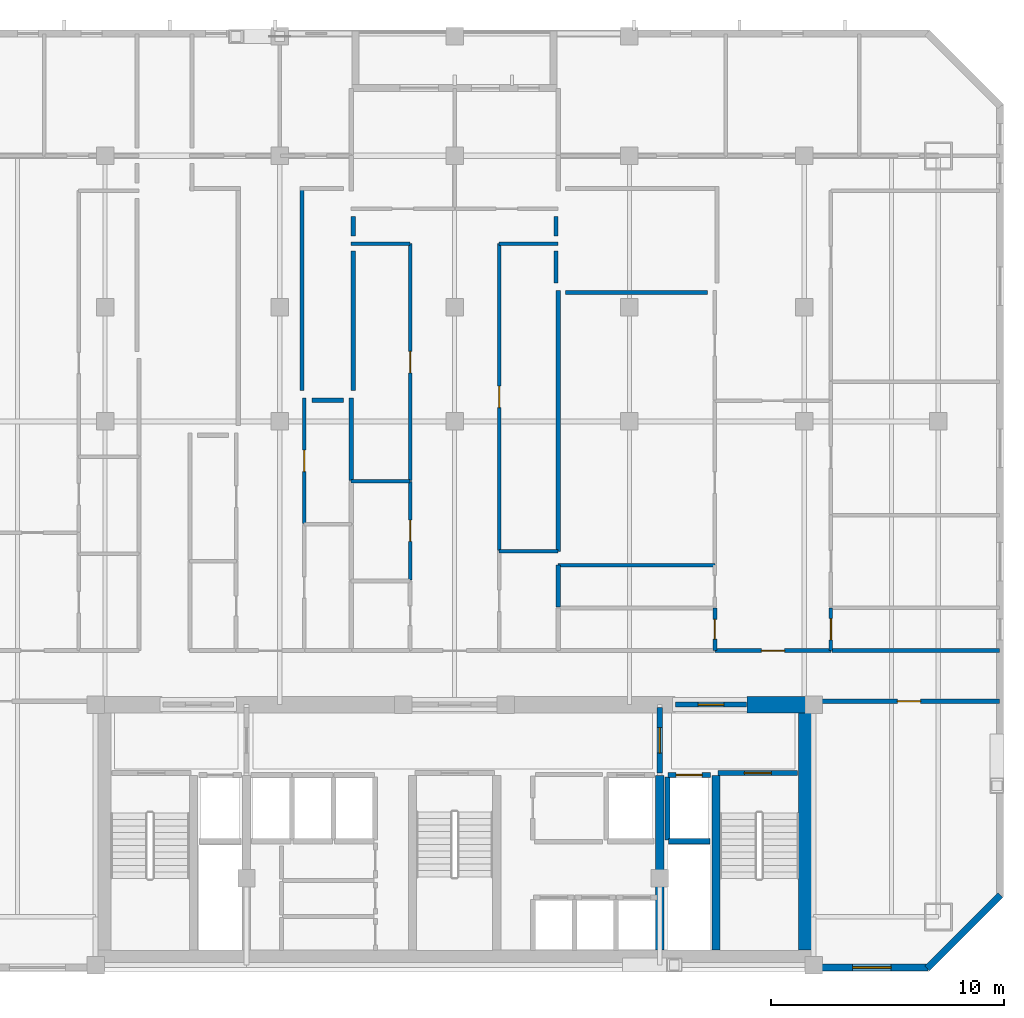
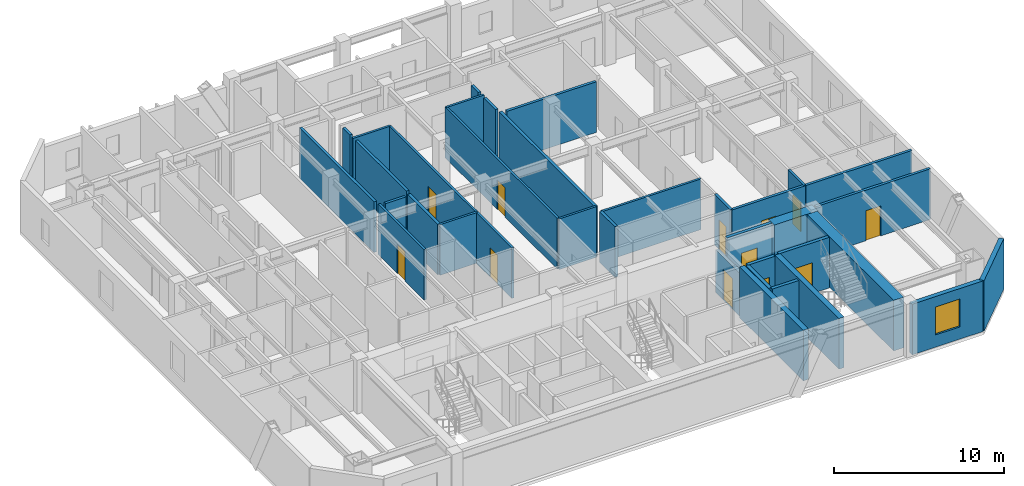
# One storey, part 5 of 9: 36 walls, 12 doors, 1 window, 13 openings.
"""IFC4 building model written with IfcOpenShell, lengths in metres."""

import ifcopenshell
import ifcopenshell.guid

model = None  # the IFC model being written
_history = None  # IfcOwnerHistory: only IFC2X3 demands one
_inside = {}  # id of a spatial element -> (the spatial element, [elements in it])
_under = {}  # id of a project, library or spatial element -> (it, [spatial elements below it])
_declared = {}  # id of a project -> (the project, [libraries it declares])
_typed = {}  # id of a type object -> (the type object, [elements of that type])
_made_of = {}  # id of a material, layer set ... -> (it, [elements and type objects made of it])


def new_model(schema):
    """Start an empty IFC model of exactly this schema.

    Asked for "IFC4X3", IfcOpenShell would pick the latest addendum, in which some entities
    have other attributes; the version numbers below select the first issue.
    IFC2X3 requires an IfcOwnerHistory on every rooted entity: one is made here for all.
    """
    global model, _history
    if schema == "IFC4X3":
        model = ifcopenshell.file(schema_version=(4, 3, 0, 0))
    else:
        model = ifcopenshell.file(schema=schema)
    _inside.clear()
    _under.clear()
    _declared.clear()
    _typed.clear()
    _made_of.clear()
    _history = None
    if model.schema == "IFC2X3":
        org = make("IfcOrganization", Name="unknown")
        user = make(
            "IfcPersonAndOrganization",
            ThePerson=make("IfcPerson", FamilyName="unknown"),
            TheOrganization=org,
        )
        app = make(
            "IfcApplication",
            ApplicationDeveloper=org,
            Version="unknown",
            ApplicationFullName="unknown",
            ApplicationIdentifier="unknown",
        )
        _history = make(
            "IfcOwnerHistory",
            OwningUser=user,
            OwningApplication=app,
            ChangeAction="ADDED",
            CreationDate=0,
        )
    return model


def make(cls, **values):
    """One entity of the class cls with the attributes given. An attribute that is None is left unset."""
    return model.create_entity(
        cls, **{name: value for name, value in values.items() if value is not None}
    )


def rooted(cls, **values):
    """An entity with a GlobalId (a new one), such as an element, a storey or a relation."""
    return make(cls, GlobalId=ifcopenshell.guid.new(), OwnerHistory=_history, **values)


def si_unit(unit_type, name, prefix=None):
    """IfcSIUnit, for example si_unit("LENGTHUNIT", "METRE", prefix="MILLI")."""
    return make("IfcSIUnit", UnitType=unit_type, Prefix=prefix, Name=name)


def assignment(units):
    """IfcUnitAssignment: the units of a project."""
    return None if units is None else make("IfcUnitAssignment", Units=units)


def point(xyz):
    """IfcCartesianPoint."""
    return None if xyz is None else make("IfcCartesianPoint", Coordinates=xyz)


def direction(xyz):
    """IfcDirection."""
    return None if xyz is None else make("IfcDirection", DirectionRatios=xyz)


def frame(location, z_axis=None, x_axis=None):
    """IfcAxis2Placement3D, a coordinate frame: its origin and axes. An axis left out is left unset."""
    return make(
        "IfcAxis2Placement3D",
        Location=point(location),
        Axis=direction(z_axis),
        RefDirection=direction(x_axis),
    )


def frame_2d(location, x_axis=None):
    """IfcAxis2Placement2D, a coordinate frame in the plane: its origin and x axis."""
    return make(
        "IfcAxis2Placement2D", Location=point(location), RefDirection=direction(x_axis)
    )


def origin():
    """The frame at (0, 0, 0) with its axes left unset."""
    return frame((0.0, 0.0, 0.0))


def place(relative_to, where):
    """IfcLocalPlacement: puts the frame where relative to a parent placement (None: the world)."""
    return make(
        "IfcLocalPlacement", PlacementRelTo=relative_to, RelativePlacement=where
    )


def context(
    kind, dimensions, precision=None, world=None, true_north=None, identifier=None
):
    """IfcGeometricRepresentationContext, for example the 3D "Model" context."""
    return make(
        "IfcGeometricRepresentationContext",
        ContextIdentifier=identifier,
        ContextType=kind,
        CoordinateSpaceDimension=dimensions,
        Precision=precision,
        WorldCoordinateSystem=world,
        TrueNorth=true_north,
    )


def subcontext(parent, identifier, kind, view, scale=None):
    """IfcGeometricRepresentationSubContext, for example "Body" below "Model"."""
    return make(
        "IfcGeometricRepresentationSubContext",
        ContextIdentifier=identifier,
        ContextType=kind,
        ParentContext=parent,
        TargetScale=scale,
        TargetView=view,
    )


def project(units=None, contexts=None):
    """IfcProject with its units and contexts."""
    return rooted(
        "IfcProject",
        Name="project",
        RepresentationContexts=contexts,
        UnitsInContext=assignment(units),
    )


def spatial(cls, under=None, at=None, **own):
    """A site, building, storey or space (cls), placed at a placement, below another one or the project."""
    s = rooted(cls, ObjectPlacement=at, **own)
    if under is not None:
        _under.setdefault(under.id(), (under, []))[1].append(s)
    return s


def profile(cls, at=None, kind="AREA", **sizes):
    """A parametric profile (cls). Its sizes go by their IFC names, for example OverallWidth=200.0."""
    return make(cls, ProfileType=kind, Position=at, **sizes)


def rectangle(**sizes):
    """IfcRectangleProfileDef."""
    return profile("IfcRectangleProfileDef", **sizes)


def extrude(swept, where, along, depth):
    """IfcExtrudedAreaSolid: the profile swept, set in the frame where, extruded along a direction by depth."""
    return make(
        "IfcExtrudedAreaSolid",
        SweptArea=swept,
        Position=where,
        ExtrudedDirection=direction(along),
        Depth=depth,
    )


def shape(context_of_items, identifier, shape_type, items):
    """IfcShapeRepresentation: the items that make up one representation, for example the "Body"."""
    return make(
        "IfcShapeRepresentation",
        ContextOfItems=context_of_items,
        RepresentationIdentifier=identifier,
        RepresentationType=shape_type,
        Items=items,
    )


def material(Name=None, Category=None):
    """IfcMaterial."""
    return make("IfcMaterial", Name=Name, Category=Category)


def layer(
    of_material, thickness, ventilated=None, Name=None, Category=None, Priority=None
):
    """IfcMaterialLayer: one layer of a wall or slab, of a material (None: an air gap)."""
    return make(
        "IfcMaterialLayer",
        Material=of_material,
        LayerThickness=thickness,
        IsVentilated=ventilated,
        Name=Name,
        Category=Category,
        Priority=Priority,
    )


def layer_set(layers, Name=None):
    """IfcMaterialLayerSet."""
    return make("IfcMaterialLayerSet", MaterialLayers=layers, LayerSetName=Name)


def made_of(thing, what):
    """Note that an element or type object is made of a material, layer set ...; save() writes the relation."""
    if what is not None:
        _made_of.setdefault(what.id(), (what, []))[1].append(thing)
    return thing


def type_object(cls, material=None, **own):
    """A type object (cls), such as IfcWallType, which elements share."""
    return made_of(rooted(cls, **own), material)


def element(
    cls,
    number,
    at=None,
    inside=None,
    cuts=None,
    type_object=None,
    material=None,
    context=None,
    identifier="Body",
    shape_type=None,
    held_by="IfcProductDefinitionShape",
    body=None,
    shapes=None,
    **own,
):
    """One element of the class cls, such as IfcWall. Its Tag is "e" and its number.

    at: its placement. inside: the storey or other place that contains it. cuts: it is an
    opening in that element (IfcRelVoidsElement). A single representation is given by context,
    identifier, shape_type and body (its items); several are given by shapes. held_by: the class
    of the entity that holds the representations. save() writes the other relations.
    """
    e = rooted(cls, Tag="e%d" % number, ObjectPlacement=at, **own)
    if body is not None:
        shapes = [shape(context, identifier, shape_type, body)]
    if shapes is not None:
        e.Representation = make(held_by, Representations=shapes)
    if inside is not None:
        _inside.setdefault(inside.id(), (inside, []))[1].append(e)
    if cuts is not None:
        rooted(
            "IfcRelVoidsElement", RelatingBuildingElement=cuts, RelatedOpeningElement=e
        )
    if type_object is not None:
        _typed.setdefault(type_object.id(), (type_object, []))[1].append(e)
    return made_of(e, material)


def fill(opening, filler):
    """IfcRelFillsElement: the door or window that sits in an opening."""
    return rooted(
        "IfcRelFillsElement",
        RelatingOpeningElement=opening,
        RelatedBuildingElement=filler,
    )


def aggregate(whole, parts):
    """IfcRelAggregates: a whole, such as a stair, and the parts it consists of."""
    return rooted("IfcRelAggregates", RelatingObject=whole, RelatedObjects=parts)


def save(model, path):
    """Write the relations noted so far, then the file.

    IfcRelAggregates (storeys below a building ...), IfcRelContainedInSpatialStructure (elements
    in a storey), IfcRelDefinesByType, IfcRelAssociatesMaterial and IfcRelDeclares: one each for
    every whole, place, type object, material and project.
    """
    for whole, parts in _under.values():
        aggregate(whole, parts)
    for where, things in _inside.values():
        rooted(
            "IfcRelContainedInSpatialStructure",
            RelatedElements=things,
            RelatingStructure=where,
        )
    for kind, things in _typed.values():
        rooted("IfcRelDefinesByType", RelatedObjects=things, RelatingType=kind)
    for what, things in _made_of.values():
        rooted("IfcRelAssociatesMaterial", RelatedObjects=things, RelatingMaterial=what)
    for by, libraries in _declared.values():
        rooted("IfcRelDeclares", RelatingContext=by, RelatedDefinitions=libraries)
    model.write(path)


model = new_model("IFC4")

# Units and contexts
model_context = context("Model", 3, precision=1e-05, world=origin(), true_north=direction((0.0, 1.0)))
body_context = subcontext(model_context, "Body", "Model", "MODEL_VIEW")
ifc_project = project(units=[si_unit("LENGTHUNIT", "METRE"), si_unit("AREAUNIT", "SQUARE_METRE"), si_unit("VOLUMEUNIT", "CUBIC_METRE"), si_unit("PLANEANGLEUNIT", "RADIAN"), si_unit("MASSUNIT", "GRAM", prefix="KILO")], contexts=[model_context])

# Site, building, storey
site_placement = place(None, origin())
site = spatial("IfcSite", under=ifc_project, at=site_placement, CompositionType="ELEMENT")
building_placement = place(site_placement, origin())
building = spatial("IfcBuilding", under=site, at=building_placement, Name="Ventersveld Concourse Tower", CompositionType="ELEMENT")
storey_placement = place(building_placement, frame((0.0, 0.0, 172.14990234375)))
storey = spatial("IfcBuildingStorey", under=building, at=storey_placement, Name="L42", CompositionType="ELEMENT", Elevation=172.14990234375)

# Walls
ifc_material_1 = material(Name="Concrete C60/75", Category="concrete")
ifc_layer_1 = layer(ifc_material_1, 0.35009765625)
ifc_layer_set_1 = layer_set([ifc_layer_1], Name="Concrete C60/75")
wall_type_1 = type_object("IfcWallType", Name="WL-CORE-350L", PredefinedType="SHEAR", material=ifc_layer_set_1)
for number, where, z_axis, x_axis, name in (
    (1, (37.550048828125, 0.919921875, 0.0), (0.0, 0.0, 1.0), (0.0, 1.0, 0.0), "L42 Core Internal Shear Web W-SVL-W"),
    (2, (39.9599609375, 0.919921875, 0.0), (0.0, 0.0, 1.0), (0.0, 1.0, 0.0), "L42 Core Internal Shear Web W-ST2-W"),
):
    element("IfcWall", number, at=place(storey_placement, frame(where, z_axis=z_axis, x_axis=x_axis)), inside=storey, type_object=wall_type_1, Name=name, PredefinedType="SHEAR", context=body_context, shape_type="SweptSolid", body=[
        extrude(rectangle(XDim=7.5, YDim=0.35009765625, at=frame_2d((3.75, 0.0))), origin(), (0.0, 0.0, 1.0), 3.630126953125),
    ])
ifc_layer_2 = layer(ifc_material_1, 0.699951171875)
ifc_layer_set_2 = layer_set([ifc_layer_2], Name="Concrete C60/75")
wall_type_2 = type_object("IfcWallType", Name="WL-CORE-700", PredefinedType="SHEAR", material=ifc_layer_set_2)
wall_1_placement = place(storey_placement, frame((43.85009765625, 0.919921875, 0.0), z_axis=(0.0, 0.0, 1.0), x_axis=(0.0, 1.0, 0.0)))
element("IfcWall", 3, at=wall_1_placement, inside=storey, type_object=wall_type_2, Name="L42 Rear Core East Shear Wall", PredefinedType="SHEAR", context=body_context, shape_type="SweptSolid", body=[
    extrude(rectangle(XDim=10.530029296875, YDim=0.699951171875, at=frame_2d((5.26513671875, 0.0))), origin(), (0.0, 0.0, 1.0), 3.630126953125),
])
wall_2_placement = place(storey_placement, frame((41.300048828125, 11.449951171875, 0.0), z_axis=(0.0, 0.0, 1.0), x_axis=(1.0, 0.0, 0.0)))
element("IfcWall", 4, at=wall_2_placement, inside=storey, type_object=wall_type_2, Name="L42 Rear Core North Shear Wall NE", PredefinedType="SHEAR", context=body_context, shape_type="SweptSolid", body=[
    extrude(rectangle(XDim=2.949951171875, YDim=0.699951171875, at=frame_2d((1.47509765625, 0.0))), origin(), (0.0, 0.0, 1.0), 3.630126953125),
])

# Wall, opening, door
ifc_material_2 = material(Name="Fire-rated autoclaved aerated masonry blockwork", Category="masonry")
ifc_layer_3 = layer(ifc_material_2, 0.179931640625)
ifc_layer_set_3 = layer_set([ifc_layer_3], Name="Fire-rated autoclaved aerated masonry blockwork")
wall_type_3 = type_object("IfcWallType", Name="WL-CORR-180", PredefinedType="PARTITIONING", material=ifc_layer_set_3)
wall_3_placement = place(storey_placement, frame((44.35498046875, 11.60009765625, 0.0), z_axis=(0.0, 0.0, 1.0), x_axis=(1.0, 0.0, 0.0)))
wall_3 = element("IfcWall", 5, at=wall_3_placement, inside=storey, type_object=wall_type_3, Name="L42 Interior Partition SP-L42-SE-OFF-SP-L42-COR", PredefinedType="PARTITIONING", context=body_context, shape_type="SweptSolid", body=[
    extrude(rectangle(XDim=7.7724609375, YDim=0.179931640625, at=frame_2d((3.88623046875, 0.0))), origin(), (0.0, 0.0, 1.0), 3.630126953125),
])
opening_1_placement = place(wall_3_placement, frame((3.38623046875, 0.0, 0.0)))
opening_1 = element("IfcOpeningElement", 6, at=opening_1_placement, cuts=wall_3, Name="Opening FD3", PredefinedType="OPENING", context=body_context, shape_type="SweptSolid", body=[
    extrude(rectangle(XDim=1.0, YDim=2.14990234375, at=frame_2d((0.5, 1.074951171875))), frame((0.0, 0.10009765625, 0.0), z_axis=(0.0, -1.0, 0.0), x_axis=(1.0, 0.0, 0.0)), (0.0, 0.0, 1.0), 0.199951171875),
])
ifc_material_3 = material(Name="Solid-core hardwood veneer timber", Category="wood")
door_type_1 = type_object("IfcDoorType", Name="DR-FLAT-100", OperationType="NOTDEFINED", PredefinedType="DOOR", material=ifc_material_3)
door_1_placement = place(opening_1_placement, origin())
door_1 = element("IfcDoor", 7, at=door_1_placement, inside=storey, type_object=door_type_1, Name="L42 Interior Door SP-L42-SE-OFF to SP-L42-COR (D-L42-2052)", OperationType="SINGLE_SWING_RIGHT", OverallHeight=2.14990234375, OverallWidth=1.0, PredefinedType="DOOR", context=body_context, shape_type="SweptSolid", body=[
    extrude(rectangle(XDim=1.0, YDim=2.14990234375, at=frame_2d((0.5, 1.074951171875))), frame((0.0, 0.02490234375, 0.0), z_axis=(0.0, -1.0, 0.0), x_axis=(1.0, 0.0, 0.0)), (0.0, 0.0, 1.0), 0.050048828125),
])
fill(opening_1, door_1)

wall_4_placement = place(storey_placement, frame((39.910400390625, 13.77001953125, 0.0), z_axis=(0.0, 0.0, 1.0), x_axis=(1.0, 0.0, 0.0)))
wall_4 = element("IfcWall", 8, at=wall_4_placement, inside=storey, type_object=wall_type_3, Name="L42 Interior Partition SP-L42-COR-SP-L42-42CE-FOY", PredefinedType="PARTITIONING", context=body_context, shape_type="SweptSolid", body=[
    extrude(rectangle(XDim=4.989990234375, YDim=0.179931640625, at=frame_2d((2.4951171875, 0.0))), origin(), (0.0, 0.0, 1.0), 3.630126953125),
])
opening_2_placement = place(wall_4_placement, frame((1.9951171875, 0.0, 0.0)))
opening_2 = element("IfcOpeningElement", 9, at=opening_2_placement, cuts=wall_4, Name="Opening FD3", PredefinedType="OPENING", context=body_context, shape_type="SweptSolid", body=[
    extrude(rectangle(XDim=1.0, YDim=2.14990234375, at=frame_2d((0.5, 1.074951171875))), frame((0.0, 0.10009765625, 0.0), z_axis=(0.0, -1.0, 0.0), x_axis=(1.0, 0.0, 0.0)), (0.0, 0.0, 1.0), 0.199951171875),
])
door_2_placement = place(opening_2_placement, origin())
door_2 = element("IfcDoor", 10, at=door_2_placement, inside=storey, type_object=door_type_1, Name="L42 Interior Door SP-L42-COR to SP-L42-42CE-FOY (FD-L42-2055)", OperationType="SINGLE_SWING_LEFT", OverallHeight=2.14990234375, OverallWidth=1.0, PredefinedType="DOOR", context=body_context, shape_type="SweptSolid", body=[
    extrude(rectangle(XDim=1.0, YDim=2.14990234375, at=frame_2d((0.5, 1.074951171875))), frame((0.0, 0.02490234375, 0.0), z_axis=(0.0, -1.0, 0.0), x_axis=(1.0, 0.0, 0.0)), (0.0, 0.0, 1.0), 0.050048828125),
])
fill(opening_2, door_2)

# Walls
wall_5_placement = place(storey_placement, frame((44.930419921875, 13.77001953125, 0.0), z_axis=(0.0, 0.0, 1.0), x_axis=(1.0, 0.0, 0.0)))
element("IfcWall", 11, at=wall_5_placement, inside=storey, type_object=wall_type_3, Name="L42 Interior Partition SP-L42-COR-SP-L42-42CE-KIT", PredefinedType="PARTITIONING", context=body_context, shape_type="SweptSolid", body=[
    extrude(rectangle(XDim=7.197021484375, YDim=0.179931640625, at=frame_2d((3.5986328125, 0.0))), origin(), (0.0, 0.0, 1.0), 3.630126953125),
])
wall_6_placement = place(storey_placement, frame((22.206298828125, 33.68505859375, 0.0), z_axis=(0.0, 0.0, 1.0), x_axis=(0.0, -1.0, 0.0)))
element("IfcWall", 12, at=wall_6_placement, inside=storey, type_object=wall_type_3, Name="L42 Room Enclosure Wall SP-L42-42CW-LIV", PredefinedType="PARTITIONING", context=body_context, shape_type="SweptSolid", body=[
    extrude(rectangle(XDim=8.76513671875, YDim=0.179931640625, at=frame_2d((4.382568359375, 0.0))), origin(), (0.0, 0.0, 1.0), 3.630126953125),
])
wall_7_placement = place(storey_placement, frame((22.62109375, 24.510009765625, 0.0), z_axis=(0.0, 0.0, 1.0), x_axis=(1.0, 0.0, 0.0)))
element("IfcWall", 13, at=wall_7_placement, inside=storey, type_object=wall_type_3, Name="L42 Room Enclosure Wall SP-L42-42CW-PANR1", PredefinedType="PARTITIONING", context=body_context, shape_type="SweptSolid", body=[
    extrude(rectangle(XDim=1.364013671875, YDim=0.179931640625, at=frame_2d((0.68212890625, 0.0))), origin(), (0.0, 0.0, 1.0), 3.630126953125),
])
wall_8_placement = place(storey_placement, frame((33.514892578125, 29.13134765625, 0.0), z_axis=(0.0, 0.0, 1.0), x_axis=(1.0, 0.0, 0.0)))
element("IfcWall", 14, at=wall_8_placement, inside=storey, type_object=wall_type_3, Name="L42 Room Enclosure Wall SP-L42-42CE-DENL", PredefinedType="PARTITIONING", context=body_context, shape_type="SweptSolid", body=[
    extrude(rectangle(XDim=6.075439453125, YDim=0.179931640625, at=frame_2d((3.03759765625, 0.0))), origin(), (0.0, 0.0, 1.0), 3.630126953125),
])
for number, where, z_axis, x_axis, name in (
    (15, (24.39990234375, 31.554931640625, 0.0), (0.0, 0.0, 1.0), (0.0, 1.0, 0.0), "L42 Room Enclosure Wall SP-L42-42CM-LIV"),
    (16, (33.10009765625, 32.405029296875, 0.0), (0.0, 0.0, 1.0), (0.0, -1.0, 0.0), "L42 Room Enclosure Wall SP-L42-42CM-LIV"),
):
    element("IfcWall", number, at=place(storey_placement, frame(where, z_axis=z_axis, x_axis=x_axis)), inside=storey, type_object=wall_type_3, Name=name, PredefinedType="PARTITIONING", context=body_context, shape_type="SweptSolid", body=[
        extrude(rectangle(XDim=0.85009765625, YDim=0.179931640625, at=frame_2d((0.425048828125, 0.0))), origin(), (0.0, 0.0, 1.0), 3.630126953125),
    ])
wall_9_placement = place(storey_placement, frame((24.39990234375, 24.919921875, 0.0), z_axis=(0.0, 0.0, 1.0), x_axis=(0.0, 1.0, 0.0)))
element("IfcWall", 17, at=wall_9_placement, inside=storey, type_object=wall_type_3, Name="L42 Room Enclosure Wall SP-L42-42CM-DENL", PredefinedType="PARTITIONING", context=body_context, shape_type="SweptSolid", body=[
    extrude(rectangle(XDim=5.985107421875, YDim=0.179931640625, at=frame_2d((2.99267578125, 0.0))), origin(), (0.0, 0.0, 1.0), 3.630126953125),
])
wall_10_placement = place(storey_placement, frame((33.10009765625, 30.905029296875, 0.0), z_axis=(0.0, 0.0, 1.0), x_axis=(0.0, -1.0, 0.0)))
element("IfcWall", 18, at=wall_10_placement, inside=storey, type_object=wall_type_3, Name="L42 Room Enclosure Wall SP-L42-42CM-MEDR1", PredefinedType="PARTITIONING", context=body_context, shape_type="SweptSolid", body=[
    extrude(rectangle(XDim=1.36376953125, YDim=0.179931640625, at=frame_2d((0.681884765625, 0.0))), origin(), (0.0, 0.0, 1.0), 3.630126953125),
])
ifc_layer_4 = layer(ifc_material_2, 0.199951171875)
ifc_layer_set_4 = layer_set([ifc_layer_4], Name="Fire-rated autoclaved aerated masonry blockwork")
wall_type_4 = type_object("IfcWallType", Name="WL-DEMISE-200", PredefinedType="PARTITIONING", material=ifc_layer_set_4)
wall_11_placement = place(storey_placement, frame((24.31005859375, 21.0615234375, 0.0), z_axis=(0.0, 0.0, 1.0), x_axis=(0.0, 1.0, 0.0)))
element("IfcWall", 19, at=wall_11_placement, inside=storey, type_object=wall_type_4, Name="L42 Interior Partition SP-L42-42CW-PANR1-SP-L42-42CM-DENL", PredefinedType="PARTITIONING", context=body_context, shape_type="SweptSolid", body=[
    extrude(rectangle(XDim=3.54345703125, YDim=0.199951171875, at=frame_2d((1.771728515625, 0.0))), origin(), (0.0, 0.0, 1.0), 3.630126953125),
])
wall_12_placement = place(storey_placement, frame((33.18994140625, 15.635009765625, 0.0), z_axis=(0.0, 0.0, 1.0), x_axis=(0.0, 1.0, 0.0)))
element("IfcWall", 20, at=wall_12_placement, inside=storey, type_object=wall_type_4, Name="L42 Interior Partition SP-L42-42CE-PANL0-SP-L42-42CM-KIT", PredefinedType="PARTITIONING", context=body_context, shape_type="SweptSolid", body=[
    extrude(rectangle(XDim=1.800048828125, YDim=0.199951171875, at=frame_2d((0.89990234375, 0.0))), origin(), (0.0, 0.0, 1.0), 3.630126953125),
])
wall_13_placement = place(storey_placement, frame((33.18994140625, 18.03173828125, 0.0), z_axis=(0.0, 0.0, 1.0), x_axis=(0.0, 1.0, 0.0)))
element("IfcWall", 21, at=wall_13_placement, inside=storey, type_object=wall_type_4, Name="L42 Interior Partition SP-L42-42CE-DENL-SP-L42-42CM-MEDR1", PredefinedType="PARTITIONING", context=body_context, shape_type="SweptSolid", body=[
    extrude(rectangle(XDim=11.194580078125, YDim=0.199951171875, at=frame_2d((5.59716796875, 0.0))), origin(), (0.0, 0.0, 1.0), 3.630126953125),
])
ifc_layer_5 = layer(ifc_material_2, 0.219970703125)
ifc_layer_set_5 = layer_set([ifc_layer_5], Name="Fire-rated autoclaved aerated masonry blockwork")
wall_type_5 = type_object("IfcWallType", Name="WL-HOIST-220", PredefinedType="SOLIDWALL", material=ifc_layer_set_5)
wall_14_placement = place(storey_placement, frame((37.919921875, 5.590087890625, 0.0), z_axis=(0.0, 0.0, 1.0), x_axis=(1.0, 0.0, 0.0)))
element("IfcWall", 22, at=wall_14_placement, inside=storey, type_object=wall_type_5, Name="L42 Lift Hoistway Back Wall FFL-02", PredefinedType="SOLIDWALL", context=body_context, shape_type="SweptSolid", body=[
    extrude(rectangle(XDim=1.780029296875, YDim=0.219970703125, at=frame_2d((0.89013671875, 0.0))), origin(), (0.0, 0.0, 1.0), 3.630126953125),
])
wall_15_placement = place(storey_placement, frame((37.8798828125, 5.64990234375, 0.0), z_axis=(0.0, 0.0, 1.0), x_axis=(0.0, 1.0, 0.0)))
element("IfcWall", 23, at=wall_15_placement, inside=storey, type_object=wall_type_5, Name="L42 Lift Hoistway Side Wall FFL-02W", PredefinedType="SOLIDWALL", context=body_context, shape_type="SweptSolid", body=[
    extrude(rectangle(XDim=2.7001953125, YDim=0.219970703125, at=frame_2d((1.35009765625, 0.0))), origin(), (0.0, 0.0, 1.0), 3.630126953125),
])

# Wall, opening, door
wall_16_placement = place(storey_placement, frame((37.89990234375, 8.429931640625, 0.0), z_axis=(0.0, 0.0, 1.0), x_axis=(1.0, 0.0, 0.0)))
wall_16 = element("IfcWall", 24, at=wall_16_placement, inside=storey, type_object=wall_type_5, Name="L42 Lift Hoistway Front Wall FFL-02", PredefinedType="SOLIDWALL", context=body_context, shape_type="SweptSolid", body=[
    extrude(rectangle(XDim=1.820068359375, YDim=0.219970703125, at=frame_2d((0.91015625, 0.0))), origin(), (0.0, 0.0, 1.0), 3.630126953125),
])
opening_3_placement = place(wall_16_placement, frame((0.35009765625, 0.0, 0.0)))
opening_3 = element("IfcOpeningElement", 25, at=opening_3_placement, cuts=wall_16, Name="Opening LD1", PredefinedType="OPENING", context=body_context, shape_type="SweptSolid", body=[
    extrude(rectangle(XDim=1.1201171875, YDim=2.25, at=frame_2d((0.56005859375, 1.125))), frame((0.0, 0.1201171875, 0.0), z_axis=(0.0, -1.0, 0.0), x_axis=(1.0, 0.0, 0.0)), (0.0, 0.0, 1.0), 0.239990234375),
])
ifc_material_4 = material(Name="Brushed stainless steel 316", Category="steel")
door_type_2 = type_object("IfcDoorType", Name="LD-FF-112", OperationType="SLIDING_TO_LEFT", PredefinedType="DOOR", material=ifc_material_4)
door_3_placement = place(opening_3_placement, origin())
door_3 = element("IfcDoor", 26, at=door_3_placement, inside=storey, type_object=door_type_2, Name="L42 Lift landing door FFL-02 (LD-L42-FFL-02)", OperationType="SLIDING_TO_RIGHT", OverallHeight=2.25, OverallWidth=1.1201171875, PredefinedType="DOOR", context=body_context, shape_type="SweptSolid", body=[
    extrude(rectangle(XDim=1.1201171875, YDim=2.25, at=frame_2d((0.56005859375, 1.125))), frame((0.0, 0.02490234375, 0.0), z_axis=(0.0, -1.0, 0.0), x_axis=(1.0, 0.0, 0.0)), (0.0, 0.0, 1.0), 0.050048828125),
])
fill(opening_3, door_3)

wall_17_placement = place(storey_placement, frame((40.06005859375, 8.52001953125, 0.0), z_axis=(0.0, 0.0, 1.0), x_axis=(1.0, 0.0, 0.0)))
wall_17 = element("IfcWall", 27, at=wall_17_placement, inside=storey, type_object=wall_type_5, Name="L42 Escape Stair ST02 Fire Wall", PredefinedType="SOLIDWALL", context=body_context, shape_type="SweptSolid", body=[
    extrude(rectangle(XDim=3.39990234375, YDim=0.219970703125, at=frame_2d((1.699951171875, 0.0))), origin(), (0.0, 0.0, 1.0), 3.630126953125),
])
opening_4_placement = place(wall_17_placement, frame((1.125, 0.0, 0.0)))
opening_4 = element("IfcOpeningElement", 28, at=opening_4_placement, cuts=wall_17, Name="Opening FD1", PredefinedType="OPENING", context=body_context, shape_type="SweptSolid", body=[
    extrude(rectangle(XDim=1.14990234375, YDim=2.199951171875, at=frame_2d((0.574951171875, 1.10009765625))), frame((0.0, 0.1201171875, 0.0), z_axis=(0.0, -1.0, 0.0), x_axis=(1.0, 0.0, 0.0)), (0.0, 0.0, 1.0), 0.239990234375),
])
ifc_material_5 = material(Name="Galvanised painted steel", Category="steel")
door_type_3 = type_object("IfcDoorType", Name="DR-STAIR-115", OperationType="NOTDEFINED", PredefinedType="DOOR", material=ifc_material_5)
door_4_placement = place(opening_4_placement, origin())
door_4 = element("IfcDoor", 29, at=door_4_placement, inside=storey, type_object=door_type_3, Name="L42 Escape Stair Door ST02 (SD-L42-2040)", OperationType="SINGLE_SWING_RIGHT", OverallHeight=2.199951171875, OverallWidth=1.14990234375, PredefinedType="DOOR", context=body_context, shape_type="SweptSolid", body=[
    extrude(rectangle(XDim=1.14990234375, YDim=2.199951171875, at=frame_2d((0.574951171875, 1.10009765625))), frame((0.0, 0.02490234375, 0.0), z_axis=(0.0, -1.0, 0.0), x_axis=(1.0, 0.0, 0.0)), (0.0, 0.0, 1.0), 0.050048828125),
])
fill(opening_4, door_4)

wall_18_placement = place(storey_placement, frame((37.550048828125, 8.52001953125, 0.0), z_axis=(0.0, 0.0, 1.0), x_axis=(0.0, 1.0, 0.0)))
wall_18 = element("IfcWall", 30, at=wall_18_placement, inside=storey, type_object=wall_type_5, Name="L42 Firefighting Lobby Smoke-Stop Wall FFLE-SEP", PredefinedType="SOLIDWALL", context=body_context, shape_type="SweptSolid", body=[
    extrude(rectangle(XDim=2.800048828125, YDim=0.219970703125, at=frame_2d((1.39990234375, 0.0))), origin(), (0.0, 0.0, 1.0), 3.085693359375),
])
opening_5_placement = place(wall_18_placement, frame((0.85009765625, 0.0, 0.0)))
opening_5 = element("IfcOpeningElement", 31, at=opening_5_placement, cuts=wall_18, Name="Opening FD2", PredefinedType="OPENING", context=body_context, shape_type="SweptSolid", body=[
    extrude(rectangle(XDim=1.10009765625, YDim=2.199951171875, at=frame_2d((0.550048828125, 1.10009765625))), frame((0.0, 0.1201171875, 0.0), z_axis=(0.0, -1.0, 0.0), x_axis=(1.0, 0.0, 0.0)), (0.0, 0.0, 1.0), 0.239990234375),
])
door_type_4 = type_object("IfcDoorType", Name="DR-FFL-110", OperationType="NOTDEFINED", PredefinedType="DOOR", material=ifc_material_5)
door_5_placement = place(opening_5_placement, origin())
door_5 = element("IfcDoor", 32, at=door_5_placement, inside=storey, type_object=door_type_4, Name="L42 Firefighting Lobby Door FFLE-SEP (FD-L42-2043)", OperationType="SINGLE_SWING_RIGHT", OverallHeight=2.199951171875, OverallWidth=1.10009765625, PredefinedType="DOOR", context=body_context, shape_type="SweptSolid", body=[
    extrude(rectangle(XDim=1.10009765625, YDim=2.199951171875, at=frame_2d((0.550048828125, 1.10009765625))), frame((0.0, 0.02490234375, 0.0), z_axis=(0.0, -1.0, 0.0), x_axis=(1.0, 0.0, 0.0)), (0.0, 0.0, 1.0), 0.050048828125),
])
fill(opening_5, door_5)

wall_19_placement = place(storey_placement, frame((38.22998046875, 11.449951171875, 0.0), z_axis=(0.0, 0.0, 1.0), x_axis=(1.0, 0.0, 0.0)))
wall_19 = element("IfcWall", 33, at=wall_19_placement, inside=storey, type_object=wall_type_5, Name="L42 Core North Fire Portal FFLE-OUT", PredefinedType="SOLIDWALL", context=body_context, shape_type="SweptSolid", body=[
    extrude(rectangle(XDim=3.0400390625, YDim=0.219970703125, at=frame_2d((1.52001953125, 0.0))), origin(), (0.0, 0.0, 1.0), 3.630126953125),
])
opening_6_placement = place(wall_19_placement, frame((0.969970703125, 0.0, 0.0)))
opening_6 = element("IfcOpeningElement", 34, at=opening_6_placement, cuts=wall_19, Name="Opening FD2", PredefinedType="OPENING", context=body_context, shape_type="SweptSolid", body=[
    extrude(rectangle(XDim=1.10009765625, YDim=2.199951171875, at=frame_2d((0.550048828125, 1.10009765625))), frame((0.0, 0.1201171875, 0.0), z_axis=(0.0, -1.0, 0.0), x_axis=(1.0, 0.0, 0.0)), (0.0, 0.0, 1.0), 0.239990234375),
])
door_6_placement = place(opening_6_placement, origin())
door_6 = element("IfcDoor", 35, at=door_6_placement, inside=storey, type_object=door_type_4, Name="L42 Core Lobby Fire Door FFLE-OUT (FD-L42-2046)", OperationType="SINGLE_SWING_LEFT", OverallHeight=2.199951171875, OverallWidth=1.10009765625, PredefinedType="DOOR", context=body_context, shape_type="SweptSolid", body=[
    extrude(rectangle(XDim=1.10009765625, YDim=2.199951171875, at=frame_2d((0.550048828125, 1.10009765625))), frame((0.0, 0.02490234375, 0.0), z_axis=(0.0, -1.0, 0.0), x_axis=(1.0, 0.0, 0.0)), (0.0, 0.0, 1.0), 0.050048828125),
])
fill(opening_6, door_6)

ifc_material_6 = material(Name="Autoclaved aerated masonry blockwork", Category="masonry")
ifc_layer_6 = layer(ifc_material_6, 0.14990234375)
ifc_layer_set_6 = layer_set([ifc_layer_6], Name="Autoclaved aerated masonry blockwork")
wall_type_6 = type_object("IfcWallType", Name="WL-INT-150", PredefinedType="PARTITIONING", material=ifc_layer_set_6)
wall_20_placement = place(storey_placement, frame((22.296142578125, 19.219970703125, 0.0), z_axis=(0.0, 0.0, 1.0), x_axis=(0.0, 1.0, 0.0)))
wall_20 = element("IfcWall", 36, at=wall_20_placement, inside=storey, type_object=wall_type_6, Name="L42 Interior Partition SP-L42-42CW-LIV-SP-L42-42CW-PANR1", PredefinedType="PARTITIONING", context=body_context, shape_type="SweptSolid", body=[
    extrude(rectangle(XDim=5.385009765625, YDim=0.14990234375, at=frame_2d((2.6923828125, 0.0))), origin(), (0.0, 0.0, 1.0), 3.630126953125),
])
opening_7_placement = place(wall_20_placement, frame((2.232421875, 0.0, 0.0)))
opening_7 = element("IfcOpeningElement", 37, at=opening_7_placement, cuts=wall_20, Name="Opening ID1", PredefinedType="OPENING", context=body_context, shape_type="SweptSolid", body=[
    extrude(rectangle(XDim=0.919921875, YDim=2.10009765625, at=frame_2d((0.4599609375, 1.050048828125))), frame((0.0, 0.0849609375, 0.0), z_axis=(0.0, -1.0, 0.0), x_axis=(1.0, 0.0, 0.0)), (0.0, 0.0, 1.0), 0.169921875),
])
door_type_5 = type_object("IfcDoorType", Name="DR-ROOM-092", OperationType="NOTDEFINED", PredefinedType="DOOR", material=ifc_material_3)
door_7_placement = place(opening_7_placement, origin())
door_7 = element("IfcDoor", 38, at=door_7_placement, inside=storey, type_object=door_type_5, Name="L42 Interior Door SP-L42-42CW-LIV to SP-L42-42CW-PANR1 (D-L42-2070)", OperationType="SINGLE_SWING_RIGHT", OverallHeight=2.10009765625, OverallWidth=0.919921875, PredefinedType="DOOR", context=body_context, shape_type="SweptSolid", body=[
    extrude(rectangle(XDim=0.919921875, YDim=2.10009765625, at=frame_2d((0.4599609375, 1.050048828125))), frame((0.0, 0.02490234375, 0.0), z_axis=(0.0, -1.0, 0.0), x_axis=(1.0, 0.0, 0.0)), (0.0, 0.0, 1.0), 0.050048828125),
])
fill(opening_7, door_7)

wall_21_placement = place(storey_placement, frame((44.895263671875, 13.764892578125, 0.0), z_axis=(0.0, 0.0, 1.0), x_axis=(0.0, 1.0, 0.0)))
wall_21 = element("IfcWall", 39, at=wall_21_placement, inside=storey, type_object=wall_type_6, Name="L42 Interior Partition SP-L42-42CE-FOY-SP-L42-42CE-KIT", PredefinedType="PARTITIONING", context=body_context, shape_type="SweptSolid", body=[
    extrude(rectangle(XDim=1.840087890625, YDim=0.14990234375, at=frame_2d((0.919921875, 0.0))), origin(), (0.0, 0.0, 1.0), 3.630126953125),
])
opening_8_placement = place(wall_21_placement, frame((0.4599609375, 0.0, 0.0)))
opening_8 = element("IfcOpeningElement", 40, at=opening_8_placement, cuts=wall_21, Name="Opening ID1", PredefinedType="OPENING", context=body_context, shape_type="SweptSolid", body=[
    extrude(rectangle(XDim=0.919921875, YDim=2.10009765625, at=frame_2d((0.4599609375, 1.050048828125))), frame((0.0, 0.0849609375, 0.0), z_axis=(0.0, -1.0, 0.0), x_axis=(1.0, 0.0, 0.0)), (0.0, 0.0, 1.0), 0.169921875),
])
door_8_placement = place(opening_8_placement, origin())
door_8 = element("IfcDoor", 41, at=door_8_placement, inside=storey, type_object=door_type_5, Name="L42 Interior Door SP-L42-42CE-FOY to SP-L42-42CE-KIT (D-L42-2077)", OperationType="SINGLE_SWING_LEFT", OverallHeight=2.10009765625, OverallWidth=0.919921875, PredefinedType="DOOR", context=body_context, shape_type="SweptSolid", body=[
    extrude(rectangle(XDim=0.919921875, YDim=2.10009765625, at=frame_2d((0.4599609375, 1.050048828125))), frame((0.0, 0.02490234375, 0.0), z_axis=(0.0, -1.0, 0.0), x_axis=(1.0, 0.0, 0.0)), (0.0, 0.0, 1.0), 0.050048828125),
])
fill(opening_8, door_8)

# Wall
wall_22_placement = place(storey_placement, frame((33.18505859375, 17.429931640625, 0.0), z_axis=(0.0, 0.0, 1.0), x_axis=(1.0, 0.0, 0.0)))
element("IfcWall", 42, at=wall_22_placement, inside=storey, type_object=wall_type_6, Name="L42 Interior Partition SP-L42-42CE-PANL0-SP-L42-42CE-DENL", PredefinedType="PARTITIONING", context=body_context, shape_type="SweptSolid", body=[
    extrude(rectangle(XDim=6.7353515625, YDim=0.14990234375, at=frame_2d((3.36767578125, 0.0))), origin(), (0.0, 0.0, 1.0), 3.630126953125),
])

# Wall, opening, door
wall_23_placement = place(storey_placement, frame((26.839111328125, 16.794677734375, 0.0), z_axis=(0.0, 0.0, 1.0), x_axis=(0.0, 1.0, 0.0)))
wall_23 = element("IfcWall", 43, at=wall_23_placement, inside=storey, type_object=wall_type_6, Name="L42 Interior Partition SP-L42-42CM-LIV-SP-L42-42CM-PANL0", PredefinedType="PARTITIONING", context=body_context, shape_type="SweptSolid", body=[
    extrude(rectangle(XDim=4.23681640625, YDim=0.14990234375, at=frame_2d((2.118408203125, 0.0))), origin(), (0.0, 0.0, 1.0), 3.630126953125),
])
opening_9_placement = place(wall_23_placement, frame((1.658447265625, 0.0, 0.0)))
opening_9 = element("IfcOpeningElement", 44, at=opening_9_placement, cuts=wall_23, Name="Opening ID1", PredefinedType="OPENING", context=body_context, shape_type="SweptSolid", body=[
    extrude(rectangle(XDim=0.919921875, YDim=2.10009765625, at=frame_2d((0.4599609375, 1.050048828125))), frame((0.0, 0.0849609375, 0.0), z_axis=(0.0, -1.0, 0.0), x_axis=(1.0, 0.0, 0.0)), (0.0, 0.0, 1.0), 0.169921875),
])
door_9_placement = place(opening_9_placement, origin())
door_9 = element("IfcDoor", 45, at=door_9_placement, inside=storey, type_object=door_type_5, Name="L42 Interior Door SP-L42-42CM-LIV to SP-L42-42CM-PANL0 (D-L42-2086)", OperationType="SINGLE_SWING_RIGHT", OverallHeight=2.10009765625, OverallWidth=0.919921875, PredefinedType="DOOR", context=body_context, shape_type="SweptSolid", body=[
    extrude(rectangle(XDim=0.919921875, YDim=2.10009765625, at=frame_2d((0.4599609375, 1.050048828125))), frame((0.0, 0.02490234375, 0.0), z_axis=(0.0, -1.0, 0.0), x_axis=(1.0, 0.0, 0.0)), (0.0, 0.0, 1.0), 0.050048828125),
])
fill(opening_9, door_9)

wall_24_placement = place(storey_placement, frame((26.839111328125, 21.0615234375, 0.0), z_axis=(0.0, 0.0, 1.0), x_axis=(0.0, 1.0, 0.0)))
wall_24 = element("IfcWall", 46, at=wall_24_placement, inside=storey, type_object=wall_type_6, Name="L42 Interior Partition SP-L42-42CM-LIV-SP-L42-42CM-DENL", PredefinedType="PARTITIONING", context=body_context, shape_type="SweptSolid", body=[
    extrude(rectangle(XDim=10.173583984375, YDim=0.14990234375, at=frame_2d((5.0869140625, 0.0))), origin(), (0.0, 0.0, 1.0), 3.630126953125),
])
opening_10_placement = place(wall_24_placement, frame((4.626708984375, 0.0, 0.0)))
opening_10 = element("IfcOpeningElement", 47, at=opening_10_placement, cuts=wall_24, Name="Opening ID1", PredefinedType="OPENING", context=body_context, shape_type="SweptSolid", body=[
    extrude(rectangle(XDim=0.919921875, YDim=2.10009765625, at=frame_2d((0.4599609375, 1.050048828125))), frame((0.0, 0.0849609375, 0.0), z_axis=(0.0, -1.0, 0.0), x_axis=(1.0, 0.0, 0.0)), (0.0, 0.0, 1.0), 0.169921875),
])
door_10_placement = place(opening_10_placement, origin())
door_10 = element("IfcDoor", 48, at=door_10_placement, inside=storey, type_object=door_type_5, Name="L42 Interior Door SP-L42-42CM-LIV to SP-L42-42CM-DENL (D-L42-2087)", OperationType="SINGLE_SWING_LEFT", OverallHeight=2.10009765625, OverallWidth=0.919921875, PredefinedType="DOOR", context=body_context, shape_type="SweptSolid", body=[
    extrude(rectangle(XDim=0.919921875, YDim=2.10009765625, at=frame_2d((0.4599609375, 1.050048828125))), frame((0.0, 0.02490234375, 0.0), z_axis=(0.0, -1.0, 0.0), x_axis=(1.0, 0.0, 0.0)), (0.0, 0.0, 1.0), 0.050048828125),
])
fill(opening_10, door_10)

# Wall
wall_25_placement = place(storey_placement, frame((24.304931640625, 31.22998046875, 0.0), z_axis=(0.0, 0.0, 1.0), x_axis=(1.0, 0.0, 0.0)))
element("IfcWall", 49, at=wall_25_placement, inside=storey, type_object=wall_type_6, Name="L42 Interior Partition SP-L42-42CM-LIV-SP-L42-42CM-DENL", PredefinedType="PARTITIONING", context=body_context, shape_type="SweptSolid", body=[
    extrude(rectangle(XDim=2.5390625, YDim=0.14990234375, at=frame_2d((1.26953125, 0.0))), origin(), (0.0, 0.0, 1.0), 3.630126953125),
])

# Wall, opening, door
wall_26_placement = place(storey_placement, frame((30.660888671875, 18.07177734375, 0.0), z_axis=(0.0, 0.0, 1.0), x_axis=(0.0, 1.0, 0.0)))
wall_26 = element("IfcWall", 50, at=wall_26_placement, inside=storey, type_object=wall_type_6, Name="L42 Interior Partition SP-L42-42CM-LIV-SP-L42-42CM-MEDR1", PredefinedType="PARTITIONING", context=body_context, shape_type="SweptSolid", body=[
    extrude(rectangle(XDim=13.163330078125, YDim=0.14990234375, at=frame_2d((6.58154296875, 0.0))), origin(), (0.0, 0.0, 1.0), 3.630126953125),
])
opening_11_placement = place(wall_26_placement, frame((6.12158203125, 0.0, 0.0)))
opening_11 = element("IfcOpeningElement", 51, at=opening_11_placement, cuts=wall_26, Name="Opening ID1", PredefinedType="OPENING", context=body_context, shape_type="SweptSolid", body=[
    extrude(rectangle(XDim=0.919921875, YDim=2.10009765625, at=frame_2d((0.4599609375, 1.050048828125))), frame((0.0, 0.0849609375, 0.0), z_axis=(0.0, -1.0, 0.0), x_axis=(1.0, 0.0, 0.0)), (0.0, 0.0, 1.0), 0.169921875),
])
door_11_placement = place(opening_11_placement, origin())
door_11 = element("IfcDoor", 52, at=door_11_placement, inside=storey, type_object=door_type_5, Name="L42 Interior Door SP-L42-42CM-LIV to SP-L42-42CM-MEDR1 (D-L42-2089)", OperationType="SINGLE_SWING_LEFT", OverallHeight=2.10009765625, OverallWidth=0.919921875, PredefinedType="DOOR", context=body_context, shape_type="SweptSolid", body=[
    extrude(rectangle(XDim=0.919921875, YDim=2.10009765625, at=frame_2d((0.4599609375, 1.050048828125))), frame((0.0, 0.02490234375, 0.0), z_axis=(0.0, -1.0, 0.0), x_axis=(1.0, 0.0, 0.0)), (0.0, 0.0, 1.0), 0.050048828125),
])
fill(opening_11, door_11)

# Walls
for number, where, z_axis, x_axis, name in (
    (53, (30.656005859375, 31.22998046875, 0.0), (0.0, 0.0, 1.0), (1.0, 0.0, 0.0), "L42 Interior Partition SP-L42-42CM-LIV-SP-L42-42CM-MEDR1"),
    (54, (24.304931640625, 21.026611328125, 0.0), (0.0, 0.0, 1.0), (1.0, 0.0, 0.0), "L42 Interior Partition SP-L42-42CM-PANL0-SP-L42-42CM-DENL"),
    (55, (30.656005859375, 18.036865234375, 0.0), (0.0, 0.0, 1.0), (1.0, 0.0, 0.0), "L42 Interior Partition SP-L42-42CM-KIT-SP-L42-42CM-MEDR1"),
):
    element("IfcWall", number, at=place(storey_placement, frame(where, z_axis=z_axis, x_axis=x_axis)), inside=storey, type_object=wall_type_6, Name=name, PredefinedType="PARTITIONING", context=body_context, shape_type="SweptSolid", body=[
        extrude(rectangle(XDim=2.5390625, YDim=0.14990234375, at=frame_2d((1.26953125, 0.0))), origin(), (0.0, 0.0, 1.0), 3.630126953125),
    ])

# Wall, opening, window
ifc_material_7 = material(Name="Precast concrete C45/55", Category="concrete")
ifc_layer_7 = layer(ifc_material_7, 0.300048828125)
ifc_layer_set_7 = layer_set([ifc_layer_7], Name="Precast concrete C45/55")
wall_type_7 = type_object("IfcWallType", Name="WL-PREC-300", PredefinedType="SOLIDWALL", material=ifc_layer_set_7)
wall_27_placement = place(storey_placement, frame((44.25, 0.179931640625, 0.0), z_axis=(0.0, 0.0, 1.0), x_axis=(1.0, 0.0, 0.0)))
wall_27 = element("IfcWall", 56, at=wall_27_placement, inside=storey, type_object=wall_type_7, Name="L42 South-East Flank Precast Wall", PredefinedType="SOLIDWALL", context=body_context, shape_type="SweptSolid", body=[
    extrude(rectangle(XDim=4.81005859375, YDim=0.300048828125, at=frame_2d((2.405029296875, 0.0))), origin(), (0.0, 0.0, 1.0), 3.630126953125),
])
opening_12_placement = place(wall_27_placement, frame((1.580078125, 0.0, 0.8798828125)))
opening_12 = element("IfcOpeningElement", 57, at=opening_12_placement, cuts=wall_27, Name="Opening W6", PredefinedType="OPENING", context=body_context, shape_type="SweptSolid", body=[
    extrude(rectangle(XDim=1.64990234375, YDim=2.0, at=frame_2d((0.824951171875, 1.0))), frame((0.0, 0.16015625, 0.0), z_axis=(0.0, -1.0, 0.0), x_axis=(1.0, 0.0, 0.0)), (0.0, 0.0, 1.0), 0.320068359375),
])
ifc_material_8 = material(Name="Tempered acoustic Low-E IGU", Category="glass")
window_type = type_object("IfcWindowType", Name="WIN-165x200", PartitioningType="SINGLE_PANEL", PredefinedType="WINDOW", material=ifc_material_8)
window_placement = place(opening_12_placement, origin())
window = element("IfcWindow", 58, at=window_placement, inside=storey, type_object=window_type, Name="L42 Punched Low-E Window W-0564", OverallHeight=2.0, OverallWidth=1.64990234375, PartitioningType="SINGLE_PANEL", PredefinedType="WINDOW", context=body_context, shape_type="SweptSolid", body=[
    extrude(rectangle(XDim=1.64990234375, YDim=2.0, at=frame_2d((0.824951171875, 1.0))), frame((0.0, 0.030029296875, 0.0), z_axis=(0.0, -1.0, 0.0), x_axis=(1.0, 0.0, 0.0)), (0.0, 0.0, 1.0), 0.06005859375),
])
fill(opening_12, window)

# Wall
wall_28_placement = place(storey_placement, frame((49.022216796875, 0.134521484375, 0.0), z_axis=(0.0, 0.0, 1.0), x_axis=(0.707106781187, 0.707106781187, 0.0)))
element("IfcWall", 59, at=wall_28_placement, inside=storey, type_object=wall_type_7, Name="L42 Highveld Precast Facade Wall E02", PredefinedType="SOLIDWALL", context=body_context, shape_type="SweptSolid", body=[
    extrude(rectangle(XDim=4.4453125, YDim=0.300048828125, at=frame_2d((2.22265625, 0.0))), origin(), (0.0, 0.0, 1.0), 3.630126953125),
])

# Wall, opening, door
ifc_layer_8 = layer(ifc_material_6, 0.1650390625)
ifc_layer_set_8 = layer_set([ifc_layer_8], Name="Autoclaved aerated masonry blockwork")
wall_type_8 = type_object("IfcWallType", Name="WL-WET-165", PredefinedType="PLUMBINGWALL", material=ifc_layer_set_8)
wall_29_placement = place(storey_placement, frame((39.915283203125, 13.764892578125, 0.0), z_axis=(0.0, 0.0, 1.0), x_axis=(0.0, 1.0, 0.0)))
wall_29 = element("IfcWall", 60, at=wall_29_placement, inside=storey, type_object=wall_type_8, Name="L42 Interior Partition SP-L42-42CE-FOY-SP-L42-42CE-BATH", PredefinedType="PLUMBINGWALL", context=body_context, shape_type="SweptSolid", body=[
    extrude(rectangle(XDim=1.840087890625, YDim=0.1650390625, at=frame_2d((0.919921875, 0.0))), origin(), (0.0, 0.0, 1.0), 3.630126953125),
])
opening_13_placement = place(wall_29_placement, frame((0.4951171875, 0.0, 0.0)))
opening_13 = element("IfcOpeningElement", 61, at=opening_13_placement, cuts=wall_29, Name="Opening ID2", PredefinedType="OPENING", context=body_context, shape_type="SweptSolid", body=[
    extrude(rectangle(XDim=0.85009765625, YDim=2.10009765625, at=frame_2d((0.425048828125, 1.050048828125))), frame((0.0, 0.092529296875, 0.0), z_axis=(0.0, -1.0, 0.0), x_axis=(1.0, 0.0, 0.0)), (0.0, 0.0, 1.0), 0.18505859375),
])
door_type_6 = type_object("IfcDoorType", Name="DR-BATH-085", OperationType="NOTDEFINED", PredefinedType="DOOR", material=ifc_material_3)
door_12_placement = place(opening_13_placement, origin())
door_12 = element("IfcDoor", 62, at=door_12_placement, inside=storey, type_object=door_type_6, Name="L42 Interior Door SP-L42-42CE-FOY to SP-L42-42CE-BATH (D-L42-2074)", OperationType="SINGLE_SWING_RIGHT", OverallHeight=2.10009765625, OverallWidth=0.85009765625, PredefinedType="DOOR", context=body_context, shape_type="SweptSolid", body=[
    extrude(rectangle(XDim=0.85009765625, YDim=2.10009765625, at=frame_2d((0.425048828125, 1.050048828125))), frame((0.0, 0.02490234375, 0.0), z_axis=(0.0, -1.0, 0.0), x_axis=(1.0, 0.0, 0.0)), (0.0, 0.0, 1.0), 0.050048828125),
])
fill(opening_13, door_12)

save(model, "model.ifc")
